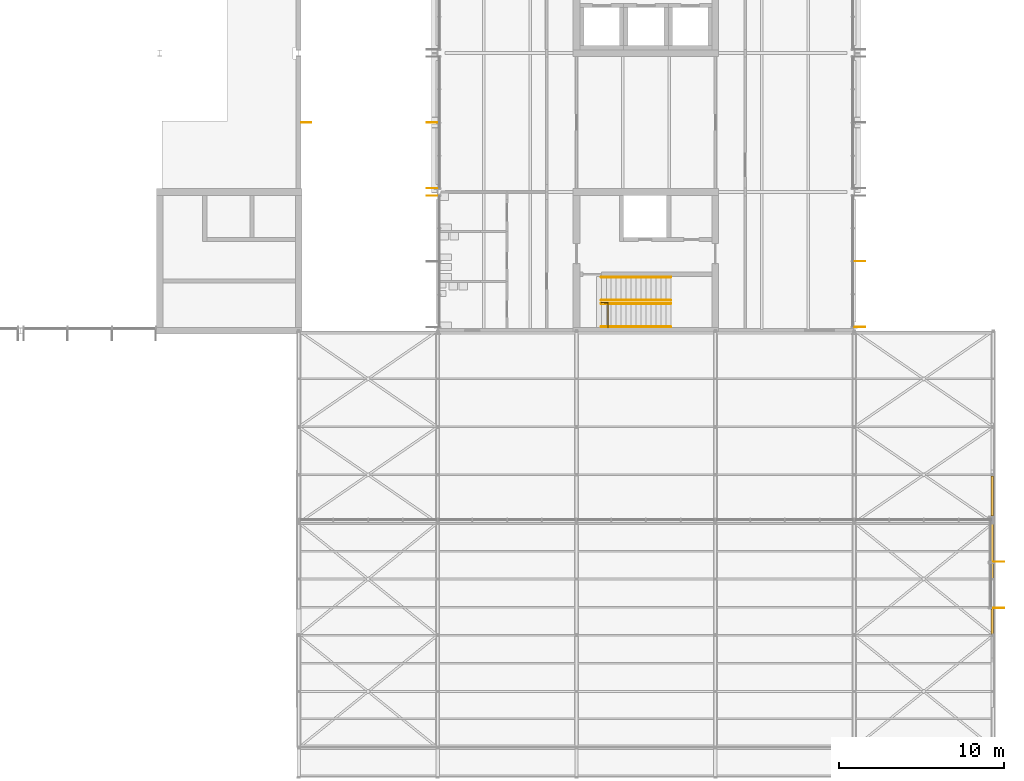
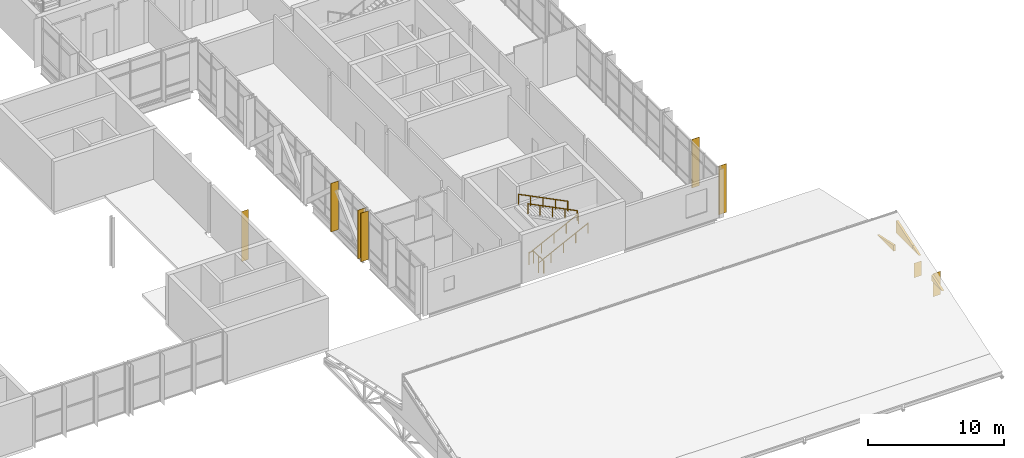
# One storey, part 83 of 89: 8 shading devices, 5 railings, 4 coverings.
"""IFC4 building model written with IfcOpenShell, lengths in metres."""

from ifc_helpers import new_model, si_unit, direction, frame, origin, origin_2d, place, context, subcontext, project, spatial, polyline, rectangle, circle, outline, extrude, material, layer, layer_set, type_object, element, save


model = new_model("IFC4")

# Units and contexts
model_context = context("Model", 3, precision=1e-05, world=origin(), true_north=direction((0.0, 1.0)))
body_context = subcontext(model_context, "Body", "Model", "MODEL_VIEW")
ifc_project = project(units=[si_unit("LENGTHUNIT", "METRE"), si_unit("AREAUNIT", "SQUARE_METRE"), si_unit("VOLUMEUNIT", "CUBIC_METRE"), si_unit("PLANEANGLEUNIT", "RADIAN"), si_unit("MASSUNIT", "GRAM", prefix="KILO")], contexts=[model_context])

# Site, building, storey
site_placement = place(None, origin())
site = spatial("IfcSite", under=ifc_project, at=site_placement, CompositionType="ELEMENT")
building_placement = place(site_placement, origin())
building = spatial("IfcBuilding", under=site, at=building_placement, Name="Hlaing Beacon Police Headquarters", CompositionType="ELEMENT")
storey_placement = place(building_placement, frame((0.0, 0.0, 9.89990234375)))
storey = spatial("IfcBuildingStorey", under=building, at=storey_placement, Name="L02", CompositionType="ELEMENT", Elevation=9.89990234375)

# Shading devices
ifc_material_1 = material(Name="Aluminium 6063-T5 anodised", Category="aluminium")
ifc_layer_1 = layer(ifc_material_1, 0.011962890625)
ifc_layer_set_1 = layer_set([ifc_layer_1], Name="Aluminium 6063-T5 anodised")
shading_device_type_1 = type_object("IfcShadingDeviceType", Name="Aluminium fin 12x600", PredefinedType="JALOUSIE", material=ifc_layer_set_1)
shading_device_1_placement = place(storey_placement, frame((92.85009765625, 46.199951171875, 0.0), z_axis=(0.0, 0.0, 1.0), x_axis=(0.0, 1.0, 0.0)))
element("IfcShadingDevice", 1, at=shading_device_1_placement, inside=storey, type_object=shading_device_type_1, Name="Fin L02 E003", PredefinedType="JALOUSIE", context=body_context, shape_type="SweptSolid", body=[
    extrude(rectangle(XDim=0.011962890625, YDim=0.60009765625, at=origin_2d()), origin(), (0.0, 0.0, 1.0), 4.5),
])
ifc_material_2 = material(Name="Aluminium 6063-T5 anodised", Category="aluminium")
ifc_layer_2 = layer(ifc_material_2, 0.01611328125)
ifc_layer_set_2 = layer_set([ifc_layer_2], Name="Aluminium 6063-T5 anodised")
shading_device_type_2 = type_object("IfcShadingDeviceType", Name="Aluminium fin 16x650", PredefinedType="JALOUSIE", material=ifc_layer_set_2)
shading_device_2_placement = place(storey_placement, frame((134.72509765625, 16.840087890625, 0.0), z_axis=(0.0, 0.0, 1.0), x_axis=(0.0, 1.0, 0.0)))
element("IfcShadingDevice", 2, at=shading_device_2_placement, inside=storey, type_object=shading_device_type_2, Name="Fin L02 E001.0", PredefinedType="JALOUSIE", context=body_context, shape_type="SweptSolid", body=[
    extrude(rectangle(XDim=0.01611328125, YDim=0.64990234375, at=origin_2d()), origin(), (0.0, 0.0, 1.0), 2.0791015625),
])
shading_device_3_placement = place(storey_placement, frame((134.72509765625, 19.639892578125, 0.0), z_axis=(0.0, 0.0, 1.0), x_axis=(0.0, 1.0, 0.0)))
element("IfcShadingDevice", 3, at=shading_device_3_placement, inside=storey, type_object=shading_device_type_2, Name="Fin L02 E002.0", PredefinedType="JALOUSIE", context=body_context, shape_type="SweptSolid", body=[
    extrude(rectangle(XDim=0.01611328125, YDim=0.64990234375, at=origin_2d()), origin(), (0.0, 0.0, 1.0), 1.31396484375),
])
for number, where, z_axis, x_axis, name in (
    (4, (126.324951171875, 33.842041015625, 0.0), (0.0, 0.0, 1.0), (0.0, 1.0, 0.0), "Fin L02 E015.0"),
    (5, (126.324951171875, 37.8095703125, 0.0), (0.0, 0.0, 1.0), (0.0, 1.0, 0.0), "Fin L02 E015.2"),
    (6, (100.47509765625, 46.199951171875, 0.0), (0.0, 0.0, 1.0), (0.0, -1.0, 0.0), "Fin L02 W032.2"),
    (7, (100.47509765625, 42.222900390625, 0.0), (0.0, 0.0, 1.0), (0.0, -1.0, 0.0), "Fin L02 W032.4"),
    (8, (100.47509765625, 41.777099609375, 0.0), (0.0, 0.0, 1.0), (0.0, -1.0, 0.0), "Fin L02 W033.0"),
):
    element("IfcShadingDevice", number, at=place(storey_placement, frame(where, z_axis=z_axis, x_axis=x_axis)), inside=storey, type_object=shading_device_type_2, Name=name, PredefinedType="JALOUSIE", context=body_context, shape_type="SweptSolid", body=[
        extrude(rectangle(XDim=0.01611328125, YDim=0.64990234375, at=origin_2d()), origin(), (0.0, 0.0, 1.0), 4.3701171875),
    ])

# Coverings
ifc_material_3 = material(Name="Insulated aluminium panel infill", Category="aluminium")
ifc_layer_3 = layer(ifc_material_3, 0.175048828125)
ifc_layer_set_3 = layer_set([ifc_layer_3], Name="Insulated aluminium panel infill")
covering_type = type_object("IfcCoveringType", Name="Closure panel, Insulated panel infill wall 175", PredefinedType="CLADDING", material=ifc_layer_set_3)
covering_1_placement = place(storey_placement, frame((134.33740234375, 15.244140625, 1.51708984375), z_axis=(0.0, 0.0, 1.0), x_axis=(0.0, 1.0, 0.0)))
element("IfcCovering", 9, at=covering_1_placement, inside=storey, type_object=covering_type, Name="Closure panel Gable fascia L02 E002", PredefinedType="CLADDING", context=body_context, shape_type="SweptSolid", body=[
    extrude(outline(polyline([(0.0, 0.0), (1.555908203125, 0.0), (1.555908203125, 0.51904296875), (0.0, 0.005126953125), (0.0, 0.0)])), frame((0.0, 0.08740234375, 0.0), z_axis=(0.0, -1.0, 0.0), x_axis=(1.0, 0.0, 0.0)), (0.0, 0.0, 1.0), 0.175048828125),
])
covering_2_placement = place(storey_placement, frame((134.33740234375, 18.644287109375, 2.64208984375), z_axis=(0.0, 0.0, 1.0), x_axis=(0.0, 1.0, 0.0)))
element("IfcCovering", 10, at=covering_2_placement, inside=storey, type_object=covering_type, Name="Closure panel Gable fascia L02 E003", PredefinedType="CLADDING", context=body_context, shape_type="SweptSolid", body=[
    extrude(outline(polyline([(0.0, 0.0), (0.955810546875, 0.0), (0.955810546875, 0.320556640625), (0.0, 0.005126953125), (0.0, 0.0)])), frame((0.0, 0.08740234375, 0.0), z_axis=(0.0, -1.0, 0.0), x_axis=(1.0, 0.0, 0.0)), (0.0, 0.0, 1.0), 0.175048828125),
])
covering_3_placement = place(storey_placement, frame((134.33740234375, 19.60009765625, 2.64208984375), z_axis=(0.0, 0.0, 1.0), x_axis=(0.0, 1.0, 0.0)))
element("IfcCovering", 11, at=covering_3_placement, inside=storey, type_object=covering_type, Name="Closure panel Gable fascia L02 E004", PredefinedType="CLADDING", context=body_context, shape_type="SweptSolid", body=[
    extrude(outline(polyline([(0.0, 0.0), (2.399169921875, 0.0), (2.399169921875, 1.114501953125), (0.0, 0.320556640625), (0.0, 0.0)])), frame((0.0, 0.08740234375, 0.0), z_axis=(0.0, -1.0, 0.0), x_axis=(1.0, 0.0, 0.0)), (0.0, 0.0, 1.0), 0.175048828125),
])
covering_4_placement = place(storey_placement, frame((134.33740234375, 22.39990234375, 0.759033203125), z_axis=(0.0, 0.0, 1.0), x_axis=(0.0, 1.0, 0.0)))
element("IfcCovering", 12, at=covering_4_placement, inside=storey, type_object=covering_type, Name="Closure panel Gable fascia L02 E005", PredefinedType="CLADDING", context=body_context, shape_type="SweptSolid", body=[
    extrude(outline(polyline([(0.0, 0.0), (2.43310546875, 0.0), (2.432861328125, 0.009765625), (0.0, 0.533935546875), (0.0, 0.0)])), frame((0.0, 0.08740234375, 0.0), z_axis=(0.0, -1.0, 0.0), x_axis=(1.0, 0.0, 0.0)), (0.0, 0.0, 1.0), 0.175048828125),
])

# Railings
ifc_material_4 = material(Name="Stainless steel", Category="steel")
railing_type_1 = type_object("IfcRailingType", Name="Stair guard 1100", PredefinedType="GUARDRAIL", material=ifc_material_4)
railing_placement = place(storey_placement, frame((111.10009765625, 33.800048828125, 0.0)))
element("IfcRailing", 13, at=railing_placement, inside=storey, type_object=railing_type_1, Name="Guard ST-L", PredefinedType="GUARDRAIL", context=body_context, shape_type="SweptSolid", body=[
    extrude(circle(Radius=0.02392578125, at=origin_2d()), frame((0.0, 0.0, 1.076171875), z_axis=(0.0, 1.0, 0.0), x_axis=(-1.0, 0.0, 0.0)), (0.0, 0.0, 1.0), 1.5),
    extrude(circle(Radius=0.02392578125, at=origin_2d()), frame((0.0, 1.5, 1.076171875), z_axis=(-1.0, 0.0, 0.0), x_axis=(0.0, -1.0, 0.0)), (0.0, 0.0, 1.0), 0.400146484375),
    extrude(circle(Radius=0.02099609375, at=origin_2d()), origin(), (0.0, 0.0, 1.0), 1.052001953125),
    extrude(circle(Radius=0.02099609375, at=origin_2d()), frame((0.0, 0.75, 0.0)), (0.0, 0.0, 1.0), 1.052001953125),
    extrude(circle(Radius=0.02099609375, at=origin_2d()), frame((0.0, 1.5, 0.0)), (0.0, 0.0, 1.0), 1.052001953125),
    extrude(circle(Radius=0.02099609375, at=origin_2d()), frame((-0.400146484375, 1.5, 0.0)), (0.0, 0.0, 1.0), 1.052001953125),
])
ifc_material_5 = material(Name="Stainless steel", Category="steel")
railing_type_2 = type_object("IfcRailingType", Name="Stair handrail 900", PredefinedType="HANDRAIL", material=ifc_material_5)
for number, where, name in (
    (14, (110.699951171875, 33.85009765625, 0.150146484375), "Handrail ST-L"),
    (15, (110.699951171875, 35.25, 0.150146484375), "Handrail ST-L"),
):
    element("IfcRailing", number, at=place(storey_placement, frame(where)), inside=storey, type_object=railing_type_2, Name=name, PredefinedType="HANDRAIL", context=body_context, shape_type="SweptSolid", body=[
        extrude(circle(Radius=0.02392578125, at=origin_2d()), frame((0.0, 0.0, 0.8759765625), z_axis=(0.894437589381, 0.0, 0.447192798132), x_axis=(0.0, 1.0, 0.0)), (0.0, 0.0, 1.0), 4.695556640625),
        extrude(circle(Radius=0.02099609375, at=origin_2d()), origin(), (0.0, 0.0, 1.0), 0.851806640625),
        extrude(circle(Radius=0.02099609375, at=origin_2d()), frame((1.050048828125, 0.0, 0.52490234375)), (0.0, 0.0, 1.0), 0.851806640625),
        extrude(circle(Radius=0.02099609375, at=origin_2d()), frame((2.10009765625, 0.0, 1.0498046875)), (0.0, 0.0, 1.0), 0.851806640625),
        extrude(circle(Radius=0.02099609375, at=origin_2d()), frame((3.14990234375, 0.0, 1.574951171875)), (0.0, 0.0, 1.0), 0.851806640625),
        extrude(circle(Radius=0.02099609375, at=origin_2d()), frame((4.199951171875, 0.0, 2.099853515625)), (0.0, 0.0, 1.0), 0.851806640625),
    ])
for number, where, name in (
    (16, (114.89990234375, 35.449951171875, 2.400146484375), "Handrail ST-L"),
    (17, (114.89990234375, 36.85009765625, 2.400146484375), "Handrail ST-L"),
):
    element("IfcRailing", number, at=place(storey_placement, frame(where)), inside=storey, type_object=railing_type_2, Name=name, PredefinedType="HANDRAIL", context=body_context, shape_type="SweptSolid", body=[
        extrude(circle(Radius=0.02392578125, at=origin_2d()), frame((0.0, 0.0, 0.8759765625), z_axis=(-0.894437589381, 0.0, 0.447192798132), x_axis=(0.0, -1.0, 0.0)), (0.0, 0.0, 1.0), 4.695556640625),
        extrude(circle(Radius=0.02099609375, at=origin_2d()), origin(), (0.0, 0.0, 1.0), 0.851806640625),
        extrude(circle(Radius=0.02099609375, at=origin_2d()), frame((-1.050048828125, 0.0, 0.52490234375)), (0.0, 0.0, 1.0), 0.851806640625),
        extrude(circle(Radius=0.02099609375, at=origin_2d()), frame((-2.10009765625, 0.0, 1.0498046875)), (0.0, 0.0, 1.0), 0.851806640625),
        extrude(circle(Radius=0.02099609375, at=origin_2d()), frame((-3.14990234375, 0.0, 1.574951171875)), (0.0, 0.0, 1.0), 0.851806640625),
        extrude(circle(Radius=0.02099609375, at=origin_2d()), frame((-4.199951171875, 0.0, 2.099853515625)), (0.0, 0.0, 1.0), 0.851806640625),
    ])

save(model, "model.ifc")
